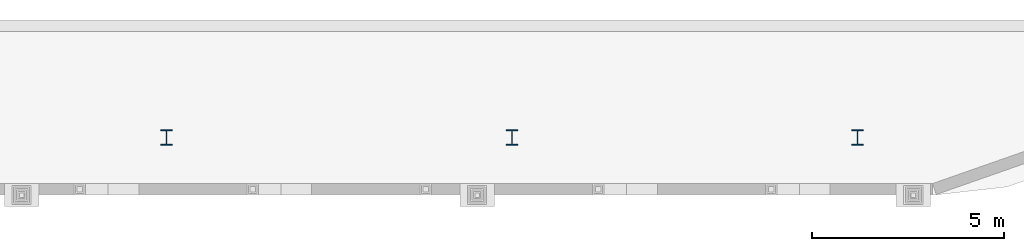
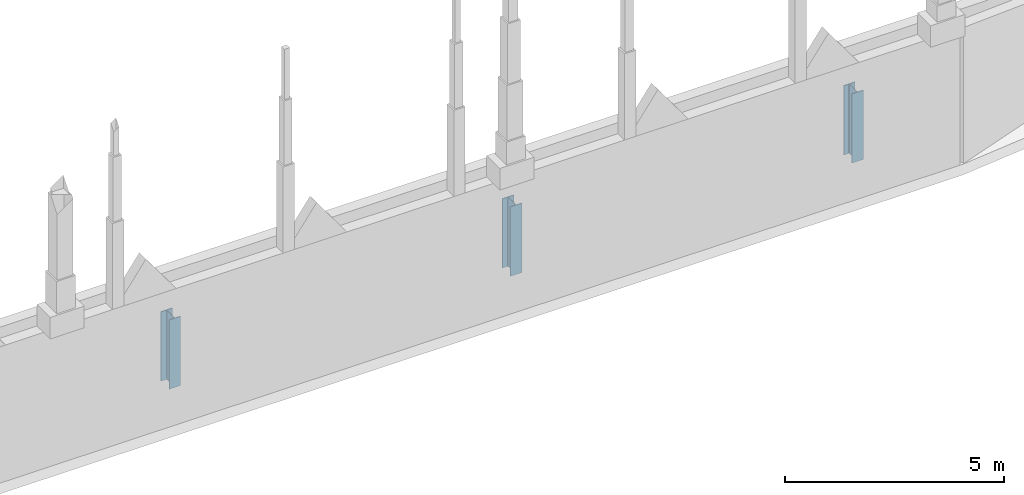
# One storey, part 1 of 6: 3 columns.
"""IFC4 building model written with IfcOpenShell, lengths in metres."""

from ifc_helpers import new_model, si_unit, direction, frame, origin, origin_2d, place, context, subcontext, project, spatial, i_section, extrude, material, material_profile, profile_set, type_object, element, save


model = new_model("IFC4")

# Units and contexts
model_context = context("Model", 3, precision=1e-05, world=origin(), true_north=direction((0.0, 1.0)))
body_context = subcontext(model_context, "Body", "Model", "MODEL_VIEW")
ifc_project = project(units=[si_unit("LENGTHUNIT", "METRE"), si_unit("AREAUNIT", "SQUARE_METRE"), si_unit("VOLUMEUNIT", "CUBIC_METRE"), si_unit("PLANEANGLEUNIT", "RADIAN"), si_unit("MASSUNIT", "GRAM", prefix="KILO")], contexts=[model_context])

# Site, building, storey
site_placement = place(None, origin())
site = spatial("IfcSite", under=ifc_project, at=site_placement, CompositionType="ELEMENT")
building_placement = place(site_placement, origin())
building = spatial("IfcBuilding", under=site, at=building_placement, Name="Ogive Portal Towers", CompositionType="ELEMENT")
storey_placement = place(building_placement, frame((0.0, 0.0, 293.89990234375)))
storey = spatial("IfcBuildingStorey", under=building, at=storey_placement, Name="L71", CompositionType="ELEMENT", Elevation=293.89990234375)

# Columns
ifc_material = material(Name="Steel S355", Category="steel")
ifc_material_profile = material_profile(ifc_material, i_section(OverallWidth=0.300048828125, OverallDepth=0.39990234375, WebThickness=0.013427734375, FlangeThickness=0.02392578125, FilletRadius=0.027099609375, at=origin_2d()), Name="HEB 400")
ifc_profile_set = profile_set([ifc_material_profile], Name="Steel S355")
column_type = type_object("IfcColumnType", Name="CROWN COLUMN HEB 400", PredefinedType="COLUMN", material=ifc_profile_set)
for number, where, z_axis, x_axis, name in (
    (1, (67.5, 21.5, 0.0), (0.0, 0.0, 1.0), (1.0, 0.0, 0.0), "Crown column L71"),
    (2, (76.5, 21.5, 0.0), (0.0, 0.0, 1.0), (1.0, 0.0, 0.0), "Crown column L71"),
    (3, (85.5, 21.5, 0.0), (0.0, 0.0, 1.0), (1.0, 0.0, 0.0), "Crown column L71"),
):
    element("IfcColumn", number, at=place(storey_placement, frame(where, z_axis=z_axis, x_axis=x_axis)), inside=storey, type_object=column_type, Name=name, PredefinedType="COLUMN", context=body_context, shape_type="SweptSolid", body=[
        extrude(i_section(OverallWidth=0.300048828125, OverallDepth=0.39990234375, WebThickness=0.013427734375, FlangeThickness=0.02392578125, FilletRadius=0.027099609375, at=origin_2d()), origin(), (0.0, 0.0, 1.0), 1.93017578125),
    ])

save(model, "model.ifc")
